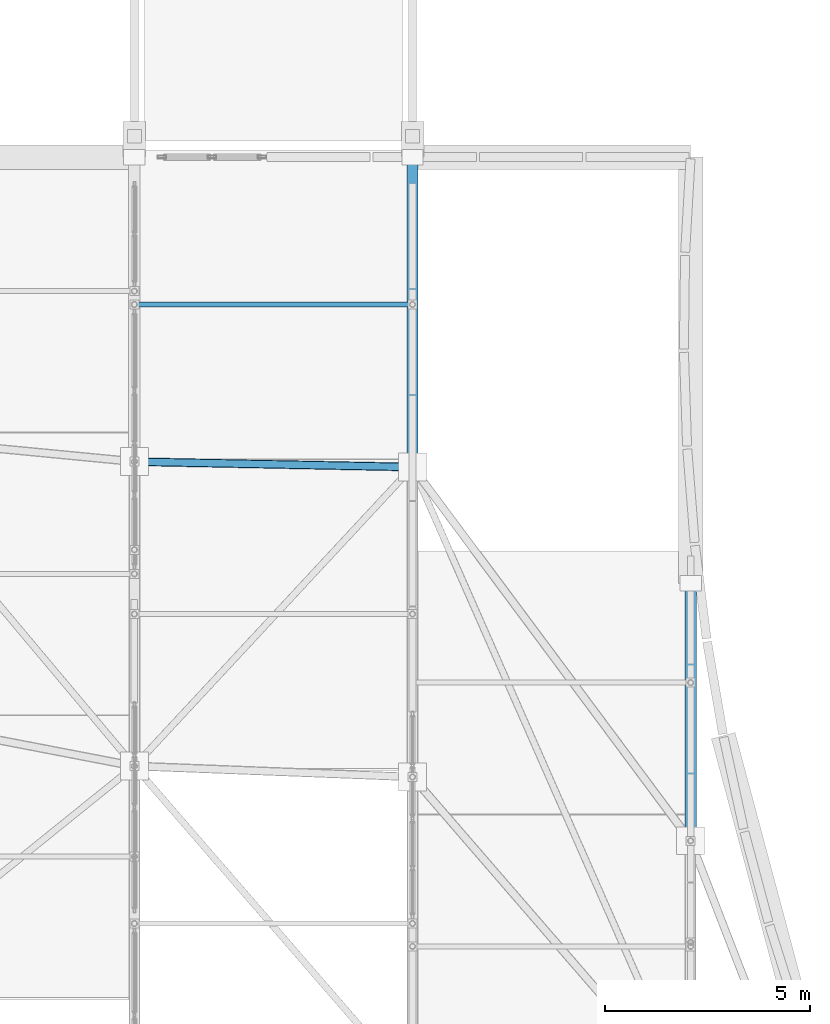
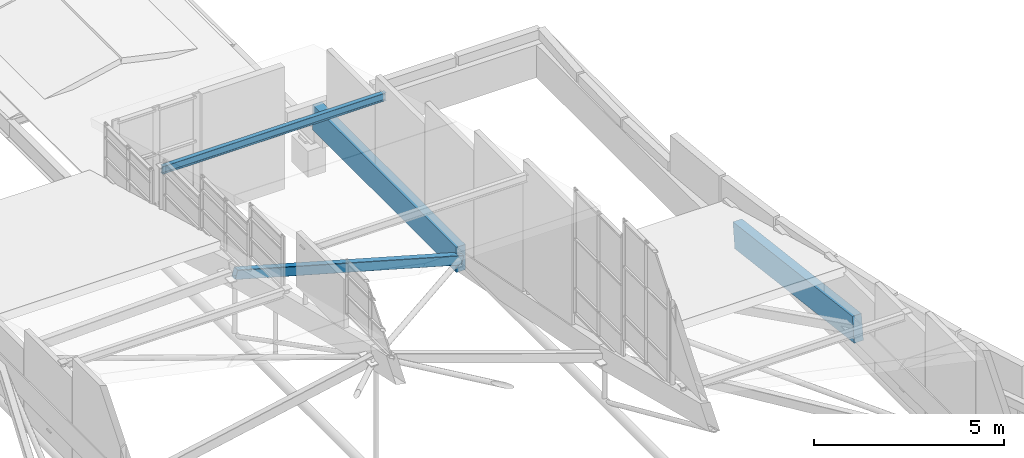
# One storey, part 61 of 188: 4 members.
"""IFC4 building model written with IfcOpenShell, lengths in metres."""

from ifc_helpers import new_model, si_unit, direction, frame, origin, origin_2d, place, context, subcontext, project, spatial, rectangle, hollow_rectangle, i_section, extrude, material, material_profile, profile_set, type_object, element, save


model = new_model("IFC4")

# Units and contexts
model_context = context("Model", 3, precision=1e-05, world=origin(), true_north=direction((0.0, 1.0)))
body_context = subcontext(model_context, "Body", "Model", "MODEL_VIEW")
ifc_project = project(units=[si_unit("LENGTHUNIT", "METRE"), si_unit("AREAUNIT", "SQUARE_METRE"), si_unit("VOLUMEUNIT", "CUBIC_METRE"), si_unit("PLANEANGLEUNIT", "RADIAN"), si_unit("MASSUNIT", "GRAM", prefix="KILO")], contexts=[model_context])

# Site, building, storey
site_placement = place(None, origin())
site = spatial("IfcSite", under=ifc_project, at=site_placement, CompositionType="ELEMENT")
building_placement = place(site_placement, origin())
building = spatial("IfcBuilding", under=site, at=building_placement, Name="Kisaragi Civic Commons", CompositionType="ELEMENT")
storey_placement = place(building_placement, frame((0.0, 0.0, 9.60009765625)))
storey = spatial("IfcBuildingStorey", under=building, at=storey_placement, Name="L02", CompositionType="ELEMENT", Elevation=9.60009765625)

# Members
ifc_material_1 = material(Name="Steel SN490 (SN490B)", Category="steel")
ifc_material_profile_1 = material_profile(ifc_material_1, hollow_rectangle(XDim=0.199951171875, YDim=0.300048828125, WallThickness=0.009033203125, InnerFilletRadius=0.009033203125, OuterFilletRadius=0.01806640625, at=origin_2d()), Name="STKR-300x200x9", Category="steel")
ifc_profile_set_1 = profile_set([ifc_material_profile_1], Name="Steel SN490 (SN490B)")
member_type_1 = type_object("IfcMemberType", Name="GC-02", PredefinedType="CHORD", material=ifc_profile_set_1)
member_1_placement = place(storey_placement, frame((13.60009765625, 54.955078125, 1.32861328125), z_axis=(0.965536983242, -0.018824019169, -0.259584264344), x_axis=(0.019492202889, 0.999810008965, 0.0)))
element("IfcMember", 1, at=member_1_placement, inside=storey, type_object=member_type_1, Name="V1 wave gridshell chord GC-02 21", PredefinedType="CHORD", context=body_context, shape_type="SweptSolid", body=[
    extrude(hollow_rectangle(XDim=0.199951171875, YDim=0.300048828125, WallThickness=0.009033203125, InnerFilletRadius=0.009033203125, OuterFilletRadius=0.01806640625, at=origin_2d()), origin(), (0.0, 0.0, 1.0), 7.04248046875),
])
ifc_material_2 = material(Name="Glulam E120-F330", Category="wood")
ifc_material_profile_2 = material_profile(ifc_material_2, rectangle(XDim=0.280029296875, YDim=0.81005859375, at=origin_2d()), Name="GL-280x810", Category="wood")
ifc_profile_set_2 = profile_set([ifc_material_profile_2], Name="Glulam E120-F330")
member_type_2 = type_object("IfcMemberType", Name="GR-01", PredefinedType="RAFTER", material=ifc_profile_set_2)
member_2_placement = place(storey_placement, frame((20.39990234375, 54.822509765625, -0.49951171875), z_axis=(0.0, 1.0, 0.0), x_axis=(-1.0, 0.0, 0.0)))
element("IfcMember", 2, at=member_2_placement, inside=storey, type_object=member_type_2, Name="V1 glulam arch rib GR-01 32", PredefinedType="RAFTER", context=body_context, shape_type="SweptSolid", body=[
    extrude(rectangle(XDim=0.280029296875, YDim=0.81005859375, at=origin_2d()), origin(), (0.0, 0.0, 1.0), 7.577392578125),
])
member_3_placement = place(storey_placement, frame((27.199951171875, 45.684326171875, 0.415771484375), z_axis=(0.0, 0.992474996444, -0.122447463976), x_axis=(-1.0, 0.0, 0.0)))
element("IfcMember", 3, at=member_3_placement, inside=storey, type_object=member_type_2, Name="V1 glulam arch rib GR-01 40", PredefinedType="RAFTER", context=body_context, shape_type="SweptSolid", body=[
    extrude(rectangle(XDim=0.280029296875, YDim=0.81005859375, at=origin_2d()), origin(), (0.0, 0.0, 1.0), 6.34228515625),
])
ifc_material_3 = material(Name="Steel SN400 (SN400B)", Category="steel")
ifc_material_profile_3 = material_profile(ifc_material_3, i_section(OverallWidth=0.125, OverallDepth=0.25, WebThickness=0.006103515625, FlangeThickness=0.009033203125, FilletRadius=0.008056640625, at=origin_2d()), Name="H-250x125x6x9", Category="steel")
ifc_profile_set_3 = profile_set([ifc_material_profile_3], Name="Steel SN400 (SN400B)")
member_type_3 = type_object("IfcMemberType", Name="PR-01", PredefinedType="PURLIN", material=ifc_profile_set_3)
member_4_placement = place(storey_placement, frame((13.60009765625, 58.79638671875, 2.336181640625), z_axis=(1.0, 0.0, 0.0), x_axis=(0.0, 1.0, 0.0)))
element("IfcMember", 4, at=member_4_placement, inside=storey, type_object=member_type_3, Name="V1 wave vault steel purlin 24", PredefinedType="PURLIN", context=body_context, shape_type="SweptSolid", body=[
    extrude(i_section(OverallWidth=0.125, OverallDepth=0.25, WebThickness=0.006103515625, FlangeThickness=0.009033203125, FilletRadius=0.008056640625, at=origin_2d()), origin(), (0.0, 0.0, 1.0), 6.7998046875),
])

save(model, "model.ifc")
